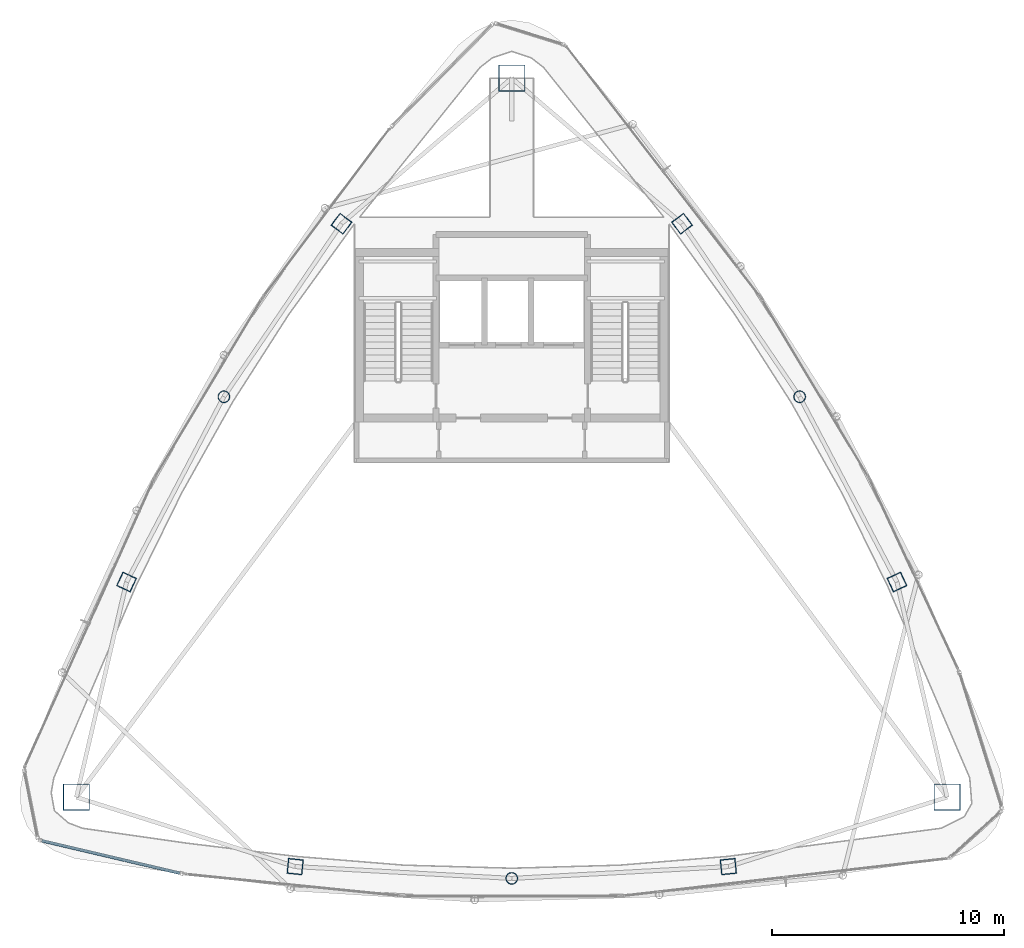
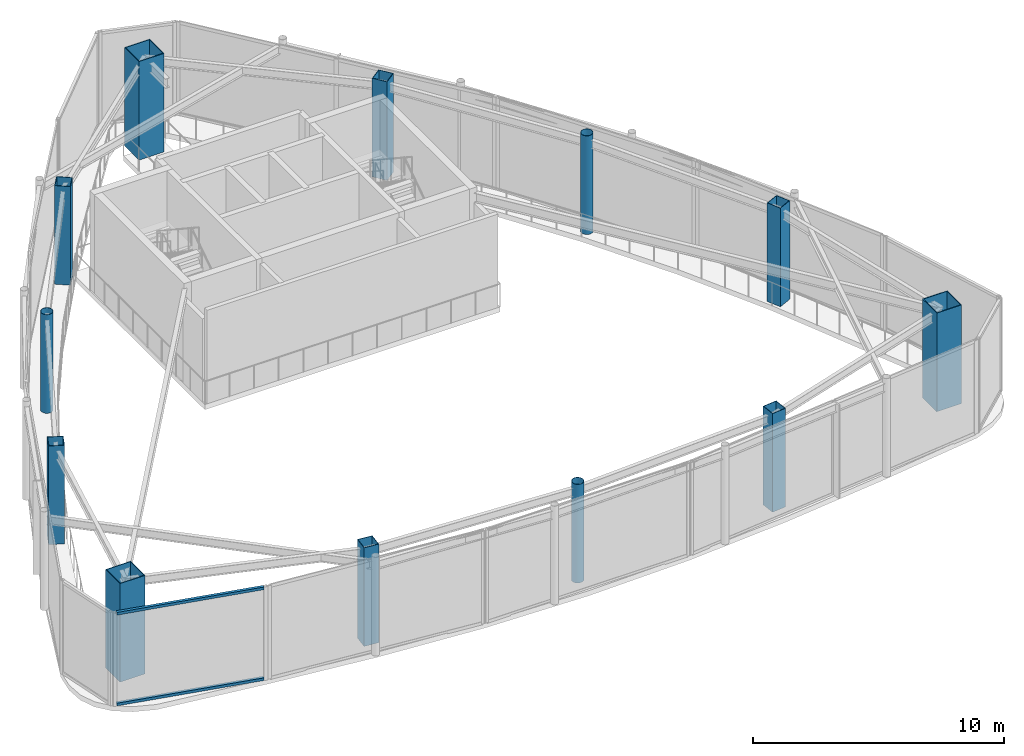
# One storey, part 1 of 19: 12 columns, 2 members, 1 element without a shape of its own.
"""IFC4 building model written with IfcOpenShell, lengths in metres."""

import ifcopenshell
import ifcopenshell.guid

model = None  # the IFC model being written
_history = None  # IfcOwnerHistory: only IFC2X3 demands one
_inside = {}  # id of a spatial element -> (the spatial element, [elements in it])
_under = {}  # id of a project, library or spatial element -> (it, [spatial elements below it])
_declared = {}  # id of a project -> (the project, [libraries it declares])
_typed = {}  # id of a type object -> (the type object, [elements of that type])
_made_of = {}  # id of a material, layer set ... -> (it, [elements and type objects made of it])


def new_model(schema):
    """Start an empty IFC model of exactly this schema.

    Asked for "IFC4X3", IfcOpenShell would pick the latest addendum, in which some entities
    have other attributes; the version numbers below select the first issue.
    IFC2X3 requires an IfcOwnerHistory on every rooted entity: one is made here for all.
    """
    global model, _history
    if schema == "IFC4X3":
        model = ifcopenshell.file(schema_version=(4, 3, 0, 0))
    else:
        model = ifcopenshell.file(schema=schema)
    _inside.clear()
    _under.clear()
    _declared.clear()
    _typed.clear()
    _made_of.clear()
    _history = None
    if model.schema == "IFC2X3":
        org = make("IfcOrganization", Name="unknown")
        user = make(
            "IfcPersonAndOrganization",
            ThePerson=make("IfcPerson", FamilyName="unknown"),
            TheOrganization=org,
        )
        app = make(
            "IfcApplication",
            ApplicationDeveloper=org,
            Version="unknown",
            ApplicationFullName="unknown",
            ApplicationIdentifier="unknown",
        )
        _history = make(
            "IfcOwnerHistory",
            OwningUser=user,
            OwningApplication=app,
            ChangeAction="ADDED",
            CreationDate=0,
        )
    return model


def make(cls, **values):
    """One entity of the class cls with the attributes given. An attribute that is None is left unset."""
    return model.create_entity(
        cls, **{name: value for name, value in values.items() if value is not None}
    )


def rooted(cls, **values):
    """An entity with a GlobalId (a new one), such as an element, a storey or a relation."""
    return make(cls, GlobalId=ifcopenshell.guid.new(), OwnerHistory=_history, **values)


def si_unit(unit_type, name, prefix=None):
    """IfcSIUnit, for example si_unit("LENGTHUNIT", "METRE", prefix="MILLI")."""
    return make("IfcSIUnit", UnitType=unit_type, Prefix=prefix, Name=name)


def assignment(units):
    """IfcUnitAssignment: the units of a project."""
    return None if units is None else make("IfcUnitAssignment", Units=units)


def point(xyz):
    """IfcCartesianPoint."""
    return None if xyz is None else make("IfcCartesianPoint", Coordinates=xyz)


def direction(xyz):
    """IfcDirection."""
    return None if xyz is None else make("IfcDirection", DirectionRatios=xyz)


def frame(location, z_axis=None, x_axis=None):
    """IfcAxis2Placement3D, a coordinate frame: its origin and axes. An axis left out is left unset."""
    return make(
        "IfcAxis2Placement3D",
        Location=point(location),
        Axis=direction(z_axis),
        RefDirection=direction(x_axis),
    )


def frame_2d(location, x_axis=None):
    """IfcAxis2Placement2D, a coordinate frame in the plane: its origin and x axis."""
    return make(
        "IfcAxis2Placement2D", Location=point(location), RefDirection=direction(x_axis)
    )


def origin():
    """The frame at (0, 0, 0) with its axes left unset."""
    return frame((0.0, 0.0, 0.0))


def origin_2d():
    """The frame at (0, 0) in the plane with its x axis left unset."""
    return frame_2d((0.0, 0.0))


def place(relative_to, where):
    """IfcLocalPlacement: puts the frame where relative to a parent placement (None: the world)."""
    return make(
        "IfcLocalPlacement", PlacementRelTo=relative_to, RelativePlacement=where
    )


def context(
    kind, dimensions, precision=None, world=None, true_north=None, identifier=None
):
    """IfcGeometricRepresentationContext, for example the 3D "Model" context."""
    return make(
        "IfcGeometricRepresentationContext",
        ContextIdentifier=identifier,
        ContextType=kind,
        CoordinateSpaceDimension=dimensions,
        Precision=precision,
        WorldCoordinateSystem=world,
        TrueNorth=true_north,
    )


def subcontext(parent, identifier, kind, view, scale=None):
    """IfcGeometricRepresentationSubContext, for example "Body" below "Model"."""
    return make(
        "IfcGeometricRepresentationSubContext",
        ContextIdentifier=identifier,
        ContextType=kind,
        ParentContext=parent,
        TargetScale=scale,
        TargetView=view,
    )


def project(units=None, contexts=None):
    """IfcProject with its units and contexts."""
    return rooted(
        "IfcProject",
        Name="project",
        RepresentationContexts=contexts,
        UnitsInContext=assignment(units),
    )


def spatial(cls, under=None, at=None, **own):
    """A site, building, storey or space (cls), placed at a placement, below another one or the project."""
    s = rooted(cls, ObjectPlacement=at, **own)
    if under is not None:
        _under.setdefault(under.id(), (under, []))[1].append(s)
    return s


def profile(cls, at=None, kind="AREA", **sizes):
    """A parametric profile (cls). Its sizes go by their IFC names, for example OverallWidth=200.0."""
    return make(cls, ProfileType=kind, Position=at, **sizes)


def hollow_rectangle(**sizes):
    """IfcRectangleHollowProfileDef."""
    return profile("IfcRectangleHollowProfileDef", **sizes)


def hollow_circle(**sizes):
    """IfcCircleHollowProfileDef."""
    return profile("IfcCircleHollowProfileDef", **sizes)


def extrude(swept, where, along, depth):
    """IfcExtrudedAreaSolid: the profile swept, set in the frame where, extruded along a direction by depth."""
    return make(
        "IfcExtrudedAreaSolid",
        SweptArea=swept,
        Position=where,
        ExtrudedDirection=direction(along),
        Depth=depth,
    )


def shape(context_of_items, identifier, shape_type, items):
    """IfcShapeRepresentation: the items that make up one representation, for example the "Body"."""
    return make(
        "IfcShapeRepresentation",
        ContextOfItems=context_of_items,
        RepresentationIdentifier=identifier,
        RepresentationType=shape_type,
        Items=items,
    )


def material(Name=None, Category=None):
    """IfcMaterial."""
    return make("IfcMaterial", Name=Name, Category=Category)


def layer(
    of_material, thickness, ventilated=None, Name=None, Category=None, Priority=None
):
    """IfcMaterialLayer: one layer of a wall or slab, of a material (None: an air gap)."""
    return make(
        "IfcMaterialLayer",
        Material=of_material,
        LayerThickness=thickness,
        IsVentilated=ventilated,
        Name=Name,
        Category=Category,
        Priority=Priority,
    )


def layer_set(layers, Name=None):
    """IfcMaterialLayerSet."""
    return make("IfcMaterialLayerSet", MaterialLayers=layers, LayerSetName=Name)


def material_profile(
    of_material, cross_section, Name=None, Category=None, Priority=None
):
    """IfcMaterialProfile: a cross section and its material."""
    return make(
        "IfcMaterialProfile",
        Name=Name,
        Material=of_material,
        Profile=cross_section,
        Priority=Priority,
        Category=Category,
    )


def profile_set(profiles, Name=None, composite=None):
    """IfcMaterialProfileSet."""
    return make(
        "IfcMaterialProfileSet",
        Name=Name,
        MaterialProfiles=profiles,
        CompositeProfile=composite,
    )


def made_of(thing, what):
    """Note that an element or type object is made of a material, layer set ...; save() writes the relation."""
    if what is not None:
        _made_of.setdefault(what.id(), (what, []))[1].append(thing)
    return thing


def type_object(cls, material=None, **own):
    """A type object (cls), such as IfcWallType, which elements share."""
    return made_of(rooted(cls, **own), material)


def element(
    cls,
    number,
    at=None,
    inside=None,
    cuts=None,
    type_object=None,
    material=None,
    context=None,
    identifier="Body",
    shape_type=None,
    held_by="IfcProductDefinitionShape",
    body=None,
    shapes=None,
    **own,
):
    """One element of the class cls, such as IfcWall. Its Tag is "e" and its number.

    at: its placement. inside: the storey or other place that contains it. cuts: it is an
    opening in that element (IfcRelVoidsElement). A single representation is given by context,
    identifier, shape_type and body (its items); several are given by shapes. held_by: the class
    of the entity that holds the representations. save() writes the other relations.
    """
    e = rooted(cls, Tag="e%d" % number, ObjectPlacement=at, **own)
    if body is not None:
        shapes = [shape(context, identifier, shape_type, body)]
    if shapes is not None:
        e.Representation = make(held_by, Representations=shapes)
    if inside is not None:
        _inside.setdefault(inside.id(), (inside, []))[1].append(e)
    if cuts is not None:
        rooted(
            "IfcRelVoidsElement", RelatingBuildingElement=cuts, RelatedOpeningElement=e
        )
    if type_object is not None:
        _typed.setdefault(type_object.id(), (type_object, []))[1].append(e)
    return made_of(e, material)


def aggregate(whole, parts):
    """IfcRelAggregates: a whole, such as a stair, and the parts it consists of."""
    return rooted("IfcRelAggregates", RelatingObject=whole, RelatedObjects=parts)


def save(model, path):
    """Write the relations noted so far, then the file.

    IfcRelAggregates (storeys below a building ...), IfcRelContainedInSpatialStructure (elements
    in a storey), IfcRelDefinesByType, IfcRelAssociatesMaterial and IfcRelDeclares: one each for
    every whole, place, type object, material and project.
    """
    for whole, parts in _under.values():
        aggregate(whole, parts)
    for where, things in _inside.values():
        rooted(
            "IfcRelContainedInSpatialStructure",
            RelatedElements=things,
            RelatingStructure=where,
        )
    for kind, things in _typed.values():
        rooted("IfcRelDefinesByType", RelatedObjects=things, RelatingType=kind)
    for what, things in _made_of.values():
        rooted("IfcRelAssociatesMaterial", RelatedObjects=things, RelatingMaterial=what)
    for by, libraries in _declared.values():
        rooted("IfcRelDeclares", RelatingContext=by, RelatedDefinitions=libraries)
    model.write(path)


model = new_model("IFC4")

# Units and contexts
model_context = context("Model", 3, precision=1e-05, world=origin(), true_north=direction((0.0, 1.0)))
body_context = subcontext(model_context, "Body", "Model", "MODEL_VIEW")
ifc_project = project(units=[si_unit("LENGTHUNIT", "METRE"), si_unit("AREAUNIT", "SQUARE_METRE"), si_unit("VOLUMEUNIT", "CUBIC_METRE"), si_unit("PLANEANGLEUNIT", "RADIAN"), si_unit("MASSUNIT", "GRAM", prefix="KILO")], contexts=[model_context])

# Site, building, storey
site_placement = place(None, origin())
site = spatial("IfcSite", under=ifc_project, at=site_placement, CompositionType="ELEMENT")
building_placement = place(site_placement, origin())
building = spatial("IfcBuilding", under=site, at=building_placement, Name="Orvanel Arch Residences", CompositionType="ELEMENT")
storey_placement = place(building_placement, frame((0.0, 0.0, 286.10009765625)))
storey = spatial("IfcBuildingStorey", under=building, at=storey_placement, Name="L81", CompositionType="ELEMENT", Elevation=286.10009765625)

# Columns
ifc_material_1 = material(Name="Structural steel AS/NZS 1163 C350L0 (Grade 350)", Category="steel")
ifc_material_profile_1 = material_profile(ifc_material_1, hollow_circle(Radius=0.25390625, WallThickness=0.01611328125, at=origin_2d()), Name="CHS508x16")
ifc_profile_set_1 = profile_set([ifc_material_profile_1], Name="Structural steel AS/NZS 1163 C350L0 (Grade 350)")
column_type_1 = type_object("IfcColumnType", Name="CC-508", PredefinedType="COLUMN", material=ifc_profile_set_1)
for number, where, z_axis, x_axis, name in (
    (1, (20.569091796875, 27.64111328125, 0.0), (0.0, 0.0, 1.0), (1.0, 0.0, 0.0), "L81 High-Rise Tube Column 02"),
    (2, (33.0, 6.843994140625, 0.0), (0.0, 0.0, 1.0), (1.0, 0.0, 0.0), "L81 High-Rise Tube Column 05"),
    (3, (45.430908203125, 27.64111328125, 0.0), (0.0, 0.0, 1.0), (1.0, 0.0, 0.0), "L81 High-Rise Tube Column 08"),
):
    element("IfcColumn", number, at=place(storey_placement, frame(where, z_axis=z_axis, x_axis=x_axis)), inside=storey, type_object=column_type_1, Name=name, PredefinedType="COLUMN", context=body_context, shape_type="SweptSolid", body=[
        extrude(hollow_circle(Radius=0.25390625, WallThickness=0.01611328125, at=origin_2d()), origin(), (0.0, 0.0, 1.0), 4.7998046875),
    ])
ifc_material_2 = material(Name="Structural steel AS/NZS 3678 Grade 450", Category="steel")
ifc_material_profile_2 = material_profile(ifc_material_2, hollow_rectangle(XDim=1.14990234375, YDim=1.14990234375, WallThickness=0.035888671875, at=origin_2d()), Name="BOX1150x1150x36")
ifc_profile_set_2 = profile_set([ifc_material_profile_2], Name="Structural steel AS/NZS 3678 Grade 450")
column_type_2 = type_object("IfcColumnType", Name="MC-1150", PredefinedType="COLUMN", material=ifc_profile_set_2)
for number, where, z_axis, x_axis, name in (
    (4, (33.0, 41.39794921875, 0.0), (0.0, 0.0, 1.0), (1.0, 0.0, 0.0), "L81 Corner Mega-Column 1"),
    (5, (14.198974609375, 10.35107421875, 0.0), (0.0, 0.0, 1.0), (1.0, 0.0, 0.0), "L81 Corner Mega-Column 2"),
    (6, (51.801025390625, 10.35107421875, 0.0), (0.0, 0.0, 1.0), (1.0, 0.0, 0.0), "L81 Corner Mega-Column 3"),
):
    element("IfcColumn", number, at=place(storey_placement, frame(where, z_axis=z_axis, x_axis=x_axis)), inside=storey, type_object=column_type_2, Name=name, PredefinedType="COLUMN", context=body_context, shape_type="SweptSolid", body=[
        extrude(hollow_rectangle(XDim=1.14990234375, YDim=1.14990234375, WallThickness=0.035888671875, at=origin_2d()), origin(), (0.0, 0.0, 1.0), 4.7998046875),
    ])
ifc_material_3 = material(Name="Structural steel AS/NZS 3678 Grade 350", Category="steel")
ifc_material_profile_3 = material_profile(ifc_material_3, hollow_rectangle(XDim=0.64990234375, YDim=0.64990234375, WallThickness=0.02197265625, at=origin_2d()), Name="BOX650x650x22")
ifc_profile_set_3 = profile_set([ifc_material_profile_3], Name="Structural steel AS/NZS 3678 Grade 350")
column_type_3 = type_object("IfcColumnType", Name="TC-650", PredefinedType="COLUMN", material=ifc_profile_set_3)
for number, where, z_axis, x_axis, name in (
    (7, (25.64794921875, 35.113037109375, 0.0), (0.0, 0.0, 1.0), (0.600420225326, 0.799684658487, 0.0), "L81 High-Rise Tube Column 01"),
    (8, (16.366943359375, 19.64208984375, 0.0), (0.0, 0.0, 1.0), (0.422618261741, 0.906307787037, 0.0), "L81 High-Rise Tube Column 03"),
    (9, (23.64892578125, 7.35498046875, 0.0), (0.0, 0.0, 1.0), (-0.994880708829, 0.101056297183, 0.0), "L81 High-Rise Tube Column 04"),
    (10, (42.35107421875, 7.35498046875, 0.0), (0.0, 0.0, 1.0), (0.994880708829, 0.101056297183, 0.0), "L81 High-Rise Tube Column 06"),
    (11, (49.633056640625, 19.64208984375, 0.0), (0.0, 0.0, 1.0), (-0.422618261741, 0.906307787037, 0.0), "L81 High-Rise Tube Column 07"),
    (12, (40.35205078125, 35.113037109375, 0.0), (0.0, 0.0, 1.0), (-0.600420225326, 0.799684658487, 0.0), "L81 High-Rise Tube Column 09"),
):
    element("IfcColumn", number, at=place(storey_placement, frame(where, z_axis=z_axis, x_axis=x_axis)), inside=storey, type_object=column_type_3, Name=name, PredefinedType="COLUMN", context=body_context, shape_type="SweptSolid", body=[
        extrude(hollow_rectangle(XDim=0.64990234375, YDim=0.64990234375, WallThickness=0.02197265625, at=origin_2d()), origin(), (0.0, 0.0, 1.0), 4.7998046875),
    ])

# Curtain wall, members
ifc_material_4 = material(Name="Bronze-anodised aluminium AA6063-T6", Category="aluminium")
ifc_layer = layer(ifc_material_4, 0.2099609375)
ifc_layer_set = layer_set([ifc_layer], Name="Bronze-anodised aluminium AA6063-T6")
curtain_wall_type = type_object("IfcCurtainWallType", Name="CW7-TOP-SYS", PredefinedType="NOTDEFINED", material=ifc_layer_set)
curtain_wall_placement = place(storey_placement, origin())
curtain_wall = element("IfcCurtainWall", 13, at=curtain_wall_placement, inside=storey, type_object=curtain_wall_type, Name="L81 CW7-TOP-SYS Unitised Curtain Wall", PredefinedType="NOTDEFINED")
ifc_material_profile_4 = material_profile(ifc_material_4, hollow_rectangle(XDim=0.1298828125, YDim=0.1298828125, WallThickness=0.00439453125, at=origin_2d()), Name="ALU130x130x4.5")
ifc_profile_set_4 = profile_set([ifc_material_profile_4], Name="Bronze-anodised aluminium AA6063-T6")
member_type = type_object("IfcMemberType", Name="TRN-130x130", PredefinedType="USERDEFINED", material=ifc_profile_set_4)
member_1_placement = place(storey_placement, frame((12.7060546875, 8.47265625, 0.06494140625), z_axis=(0.973511117585, -0.228639681462, 0.0), x_axis=(0.228639681462, 0.973511117585, 0.0)))
member_1 = element("IfcMember", 14, at=member_1_placement, type_object=member_type, Name="CW-S7 transom 1.1", ObjectType="TRANSOM", PredefinedType="USERDEFINED", context=body_context, shape_type="SweptSolid", body=[
    extrude(hollow_rectangle(XDim=0.1298828125, YDim=0.1298828125, WallThickness=0.00439453125, at=origin_2d()), origin(), (0.0, 0.0, 1.0), 6.129150390625),
])
member_2_placement = place(storey_placement, frame((12.7060546875, 8.47265625, 4.48486328125), z_axis=(0.973511117585, -0.228639681462, 0.0), x_axis=(0.228639681462, 0.973511117585, 0.0)))
member_2 = element("IfcMember", 15, at=member_2_placement, type_object=member_type, Name="CW-S7 transom 1.2", ObjectType="TRANSOM", PredefinedType="USERDEFINED", context=body_context, shape_type="SweptSolid", body=[
    extrude(hollow_rectangle(XDim=0.1298828125, YDim=0.1298828125, WallThickness=0.00439453125, at=origin_2d()), origin(), (0.0, 0.0, 1.0), 6.129150390625),
])
aggregate(curtain_wall, [member_1, member_2])

save(model, "model.ifc")
